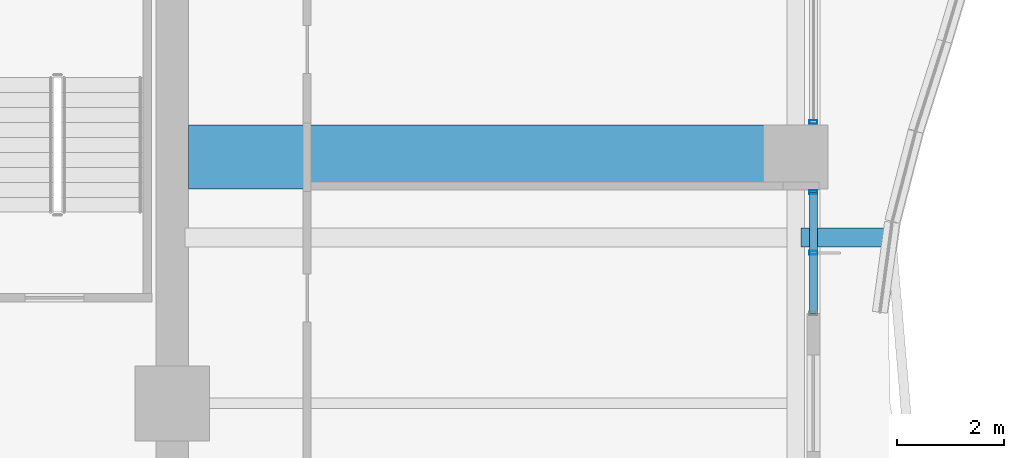
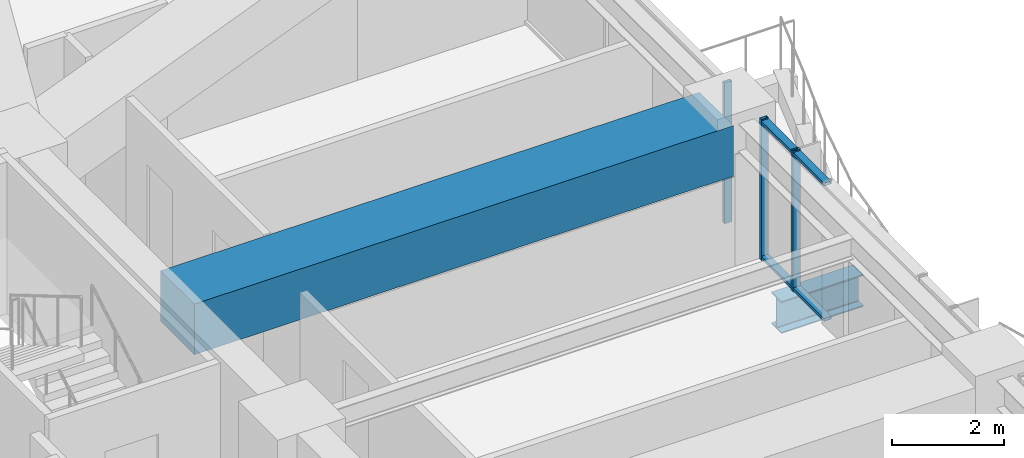
# One storey, part 16 of 39: 5 members, 2 beams, 2 elements without a shape of their own.
"""IFC4 building model written with IfcOpenShell, lengths in metres."""

from ifc_helpers import new_model, si_unit, direction, frame, origin, origin_2d, place, context, subcontext, project, spatial, rectangle, hollow_rectangle, i_section, extrude, material, material_profile, profile_set, type_object, element, aggregate, save


model = new_model("IFC4")

# Units and contexts
model_context = context("Model", 3, precision=1e-05, world=origin(), true_north=direction((0.0, 1.0)))
body_context = subcontext(model_context, "Body", "Model", "MODEL_VIEW")
ifc_project = project(units=[si_unit("LENGTHUNIT", "METRE"), si_unit("AREAUNIT", "SQUARE_METRE"), si_unit("VOLUMEUNIT", "CUBIC_METRE"), si_unit("PLANEANGLEUNIT", "RADIAN"), si_unit("MASSUNIT", "GRAM", prefix="KILO")], contexts=[model_context])

# Site, building, storey
site_placement = place(None, origin())
site = spatial("IfcSite", under=ifc_project, at=site_placement, CompositionType="ELEMENT")
building_placement = place(site_placement, origin())
building = spatial("IfcBuilding", under=site, at=building_placement, Name="Kolvaren Belvedere", CompositionType="ELEMENT")
storey_placement = place(building_placement, frame((0.0, 0.0, 33.699951171875)))
storey = spatial("IfcBuildingStorey", under=building, at=storey_placement, Name="L09", CompositionType="ELEMENT", Elevation=33.699951171875)

# Beams
ifc_material_1 = material(Name="Structural steel ASTM A992 Grade 50", Category="steel")
ifc_material_profile_1 = material_profile(ifc_material_1, i_section(OverallWidth=0.35498046875, OverallDepth=0.696044921875, WebThickness=0.015380859375, FlangeThickness=0.02490234375, FilletRadius=0.02197265625, at=origin_2d()), Name="W27X146")
ifc_profile_set_1 = profile_set([ifc_material_profile_1], Name="Structural steel ASTM A992 Grade 50")
beam_type_1 = type_object("IfcBeamType", Name="BM-CANT-BAL", PredefinedType="BEAM", material=ifc_profile_set_1)
beam_1_placement = place(storey_placement, frame((21.64501953125, 3.10009765625, -0.587890625), z_axis=(1.0, 0.0, 0.0), x_axis=(0.0, 1.0, 0.0)))
element("IfcBeam", 1, at=beam_1_placement, inside=storey, type_object=beam_type_1, Name="L09 Planted Balcony Cantilever BAL-E-2", PredefinedType="BEAM", context=body_context, shape_type="SweptSolid", body=[
    extrude(i_section(OverallWidth=0.35498046875, OverallDepth=0.696044921875, WebThickness=0.015380859375, FlangeThickness=0.02490234375, FilletRadius=0.02197265625, at=origin_2d()), origin(), (0.0, 0.0, 1.0), 1.6875),
])
ifc_material_2 = material(Name="Concrete C50/60", Category="concrete")
ifc_material_profile_2 = material_profile(ifc_material_2, rectangle(XDim=1.199951171875, YDim=1.10009765625, at=origin_2d()), Name="RC 1200X1100")
ifc_profile_set_2 = profile_set([ifc_material_profile_2], Name="Concrete C50/60")
beam_type_2 = type_object("IfcBeamType", Name="BM-TG-1100", PredefinedType="BEAM", material=ifc_profile_set_2)
beam_2_placement = place(storey_placement, frame((10.199951171875, 4.60009765625, 2.510009765625), z_axis=(1.0, 0.0, 0.0), x_axis=(0.0, 1.0, 0.0)))
element("IfcBeam", 2, at=beam_2_placement, inside=storey, type_object=beam_type_2, Name="L09 East Radial Girder P", PredefinedType="BEAM", context=body_context, shape_type="SweptSolid", body=[
    extrude(rectangle(XDim=1.199951171875, YDim=1.10009765625, at=origin_2d()), origin(), (0.0, 0.0, 1.0), 11.080078125),
])

# Curtain wall, member
ifc_material_3 = material(Name="Anodised pale-metal aluminium AA 6063-T6", Category="aluminium")
curtain_wall_type = type_object("IfcCurtainWallType", Name="CW-Z1-LOW", PredefinedType="NOTDEFINED", material=ifc_material_3)
curtain_wall_1_placement = place(storey_placement, origin())
curtain_wall_1 = element("IfcCurtainWall", 3, at=curtain_wall_1_placement, inside=storey, type_object=curtain_wall_type, Name="L09 Unitised Curtain Wall FCW-L09-E1-B1", PredefinedType="NOTDEFINED")
ifc_material_4 = material(Name="Anodised pale-metal aluminium AA 6063-T6", Category="aluminium")
ifc_material_profile_3 = material_profile(ifc_material_4, hollow_rectangle(XDim=0.070068359375, YDim=0.14990234375, WallThickness=0.004150390625, at=origin_2d()), Name="ALU-MUL-150X70")
ifc_profile_set_3 = profile_set([ifc_material_profile_3], Name="Anodised pale-metal aluminium AA 6063-T6")
member_type_1 = type_object("IfcMemberType", Name="CW-MUL-150", PredefinedType="MULLION", material=ifc_profile_set_3)
member_1_placement = place(storey_placement, frame((21.8798828125, 5.2548828125, 0.0), z_axis=(0.0, 0.0, 1.0), x_axis=(0.0, 1.0, 0.0)))
member_1 = element("IfcMember", 4, at=member_1_placement, type_object=member_type_1, Name="FCW-L09-E1-B1 Unitised Mullion 3", PredefinedType="MULLION", context=body_context, shape_type="SweptSolid", body=[
    extrude(hollow_rectangle(XDim=0.070068359375, YDim=0.14990234375, WallThickness=0.004150390625, at=origin_2d()), origin(), (0.0, 0.0, 1.0), 3.06005859375),
])
aggregate(curtain_wall_1, [member_1])

# Curtain wall, members
curtain_wall_2_placement = place(storey_placement, origin())
curtain_wall_2 = element("IfcCurtainWall", 5, at=curtain_wall_2_placement, inside=storey, type_object=curtain_wall_type, Name="L09 Unitised Curtain Wall FCW-L09-E1-B2", PredefinedType="NOTDEFINED")
member_2_placement = place(storey_placement, frame((21.8798828125, 3.945068359375, 0.0), z_axis=(0.0, 0.0, 1.0), x_axis=(0.0, 1.0, 0.0)))
member_2 = element("IfcMember", 6, at=member_2_placement, type_object=member_type_1, Name="FCW-L09-E1-B2 Unitised Mullion 1", PredefinedType="MULLION", context=body_context, shape_type="SweptSolid", body=[
    extrude(hollow_rectangle(XDim=0.070068359375, YDim=0.14990234375, WallThickness=0.004150390625, at=origin_2d()), origin(), (0.0, 0.0, 1.0), 3.06005859375),
])
member_3_placement = place(storey_placement, frame((21.8798828125, 2.8125, 0.0), z_axis=(0.0, 0.0, 1.0), x_axis=(0.0, 1.0, 0.0)))
member_3 = element("IfcMember", 7, at=member_3_placement, type_object=member_type_1, Name="FCW-L09-E1-B2 Unitised Mullion 2", PredefinedType="MULLION", context=body_context, shape_type="SweptSolid", body=[
    extrude(hollow_rectangle(XDim=0.070068359375, YDim=0.14990234375, WallThickness=0.004150390625, at=origin_2d()), origin(), (0.0, 0.0, 1.0), 3.06005859375),
])
ifc_material_5 = material(Name="Anodised pale-metal aluminium AA 6063-T6", Category="aluminium")
ifc_material_profile_4 = material_profile(ifc_material_5, hollow_rectangle(XDim=0.06494140625, YDim=0.14990234375, WallThickness=0.00390625, at=origin_2d()), Name="ALU-TRN-150X65")
ifc_profile_set_4 = profile_set([ifc_material_profile_4], Name="Anodised pale-metal aluminium AA 6063-T6")
member_type_2 = type_object("IfcMemberType", Name="CW-TRN-150", PredefinedType="USERDEFINED", material=ifc_profile_set_4)
member_4_placement = place(storey_placement, frame((21.8798828125, 3.945068359375, 0.06005859375), z_axis=(0.0, -1.0, 0.0), x_axis=(0.0, 0.0, 1.0)))
member_4 = element("IfcMember", 8, at=member_4_placement, type_object=member_type_2, Name="FCW-L09-E1-B2 Sill Transom", ObjectType="TRANSOM", PredefinedType="USERDEFINED", context=body_context, shape_type="SweptSolid", body=[
    extrude(hollow_rectangle(XDim=0.06494140625, YDim=0.14990234375, WallThickness=0.00390625, at=origin_2d()), origin(), (0.0, 0.0, 1.0), 2.26513671875),
])
member_5_placement = place(storey_placement, frame((21.8798828125, 3.945068359375, 3.0), z_axis=(0.0, -1.0, 0.0), x_axis=(0.0, 0.0, 1.0)))
member_5 = element("IfcMember", 9, at=member_5_placement, type_object=member_type_2, Name="FCW-L09-E1-B2 Head Transom", ObjectType="TRANSOM", PredefinedType="USERDEFINED", context=body_context, shape_type="SweptSolid", body=[
    extrude(hollow_rectangle(XDim=0.06494140625, YDim=0.14990234375, WallThickness=0.00390625, at=origin_2d()), origin(), (0.0, 0.0, 1.0), 2.26513671875),
])
aggregate(curtain_wall_2, [member_2, member_3, member_4, member_5])

save(model, "model.ifc")
